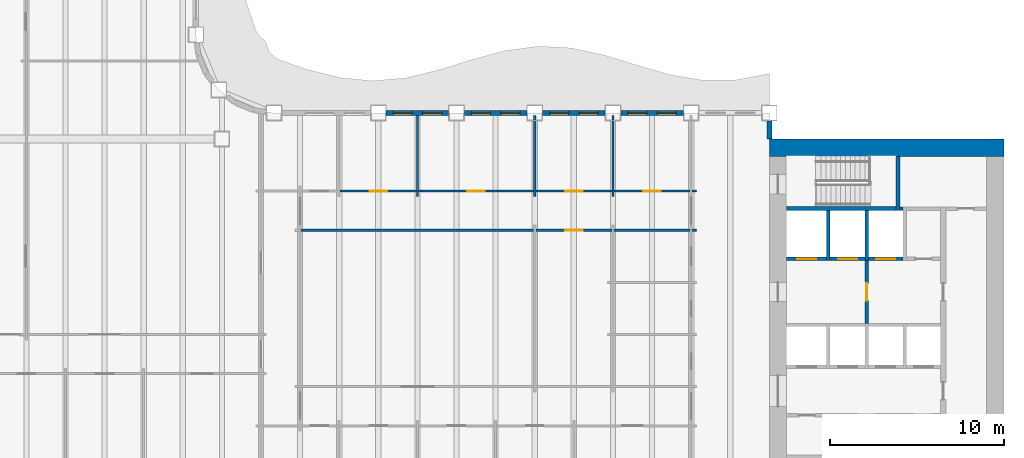
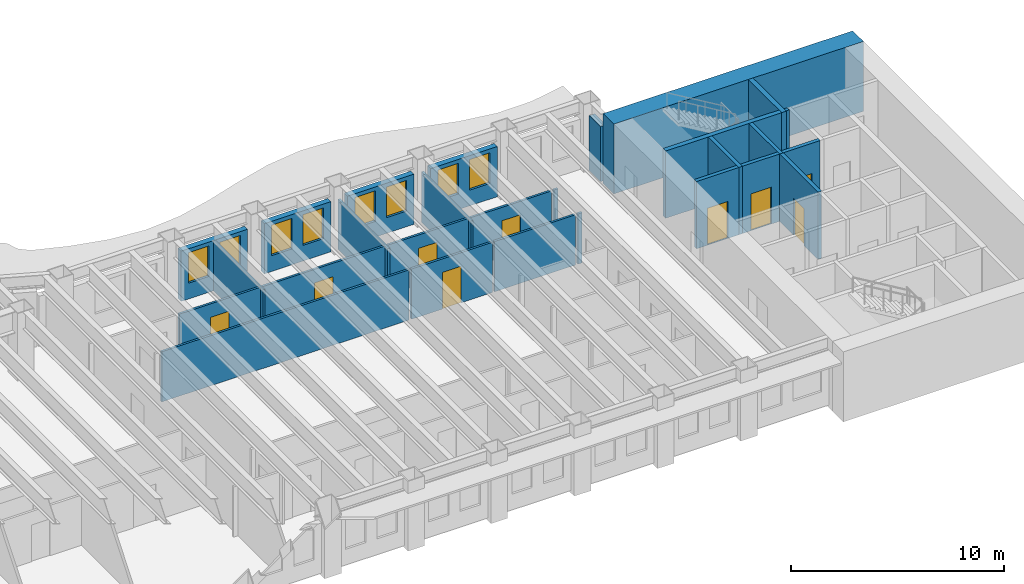
# One storey, part 7 of 16: 27 walls, 9 doors, 8 windows, 17 openings.
"""IFC4 building model written with IfcOpenShell, lengths in metres."""

from ifc_helpers import new_model, si_unit, direction, frame, frame_2d, origin, place, context, subcontext, project, spatial, rectangle, extrude, material, layer, layer_set, type_object, element, fill, save


model = new_model("IFC4")

# Units and contexts
model_context = context("Model", 3, precision=1e-05, world=origin(), true_north=direction((0.0, 1.0)))
body_context = subcontext(model_context, "Body", "Model", "MODEL_VIEW")
ifc_project = project(units=[si_unit("LENGTHUNIT", "METRE"), si_unit("AREAUNIT", "SQUARE_METRE"), si_unit("VOLUMEUNIT", "CUBIC_METRE"), si_unit("PLANEANGLEUNIT", "RADIAN"), si_unit("MASSUNIT", "GRAM", prefix="KILO")], contexts=[model_context])

# Site, building, storey
site_placement = place(None, origin())
site = spatial("IfcSite", under=ifc_project, at=site_placement, CompositionType="ELEMENT")
building_placement = place(site_placement, origin())
building = spatial("IfcBuilding", under=site, at=building_placement, Name="Sennacour Bend Tower", CompositionType="ELEMENT")
storey_placement = place(building_placement, frame((0.0, 0.0, 167.0)))
storey = spatial("IfcBuildingStorey", under=building, at=storey_placement, Name="L38", CompositionType="ELEMENT", Elevation=167.0)

# Walls
ifc_material_1 = material(Name="Concrete C60/75", Category="concrete")
ifc_layer_1 = layer(ifc_material_1, 1.0, Name="Concrete C60/75", Category="concrete")
ifc_layer_set_1 = layer_set([ifc_layer_1], Name="Concrete C60/75")
wall_type_1 = type_object("IfcWallType", Name="Core wall 1000 C60/75", PredefinedType="SHEAR", material=ifc_layer_set_1)
wall_1_placement = place(storey_placement, frame((54.0, 22.0, -0.14990234375), z_axis=(0.0, 0.0, 1.0), x_axis=(1.0, 0.0, 0.0)))
element("IfcWall", 1, at=wall_1_placement, inside=storey, type_object=wall_type_1, Name="Core A wall L38 N", PredefinedType="SHEAR", context=body_context, shape_type="SweptSolid", body=[
    extrude(rectangle(XDim=13.5, YDim=1.0, at=frame_2d((6.75, 0.0))), origin(), (0.0, 0.0, 1.0), 4.0),
])
ifc_material_2 = material(Name="Plasterboard partition on steel studs", Category="steel")
ifc_layer_2 = layer(ifc_material_2, 0.1201171875, Name="Plasterboard partition on steel studs", Category="steel")
ifc_layer_set_2 = layer_set([ifc_layer_2], Name="Plasterboard partition on steel studs")
wall_type_2 = type_object("IfcWallType", Name="Partition 120", PredefinedType="PARTITIONING", material=ifc_layer_set_2)
for number, where, z_axis, x_axis, name in (
    (2, (33.75, 19.199951171875, 0.0), (0.0, 0.0, 1.0), (0.0, 1.0, 0.0), "P-L38-W029a"),
    (3, (40.5, 19.199951171875, 0.0), (0.0, 0.0, 1.0), (0.0, 1.0, 0.0), "P-L38-W032a"),
    (4, (45.0, 19.199951171875, 0.0), (0.0, 0.0, 1.0), (0.0, 1.0, 0.0), "P-L38-W035a"),
):
    element("IfcWall", number, at=place(storey_placement, frame(where, z_axis=z_axis, x_axis=x_axis)), inside=storey, type_object=wall_type_2, Name=name, PredefinedType="PARTITIONING", context=body_context, shape_type="SweptSolid", body=[
        extrude(rectangle(XDim=4.650146484375, YDim=0.1201171875, at=frame_2d((2.3251953125, 0.0))), origin(), (0.0, 0.0, 1.0), 2.8701171875),
    ])
wall_2_placement = place(storey_placement, frame((27.06005859375, 17.25, 0.0), z_axis=(0.0, 0.0, 1.0), x_axis=(1.0, 0.0, 0.0)))
element("IfcWall", 5, at=wall_2_placement, inside=storey, type_object=wall_type_2, Name="P-L38-W070ab", PredefinedType="PARTITIONING", context=body_context, shape_type="SweptSolid", body=[
    extrude(rectangle(XDim=13.3798828125, YDim=0.1201171875, at=frame_2d((6.68994140625, 0.0))), origin(), (0.0, 0.0, 1.0), 2.8701171875),
])

# Wall, opening, door
wall_3_placement = place(storey_placement, frame((40.56005859375, 17.25, 0.0), z_axis=(0.0, 0.0, 1.0), x_axis=(1.0, 0.0, 0.0)))
wall_3 = element("IfcWall", 6, at=wall_3_placement, inside=storey, type_object=wall_type_2, Name="P-L38-W070ac", PredefinedType="PARTITIONING", context=body_context, shape_type="SweptSolid", body=[
    extrude(rectangle(XDim=4.3798828125, YDim=0.1201171875, at=frame_2d((2.18994140625, 0.0))), origin(), (0.0, 0.0, 1.0), 2.8701171875),
])
opening_1_placement = place(wall_3_placement, frame((1.68994140625, 0.0, 0.0)))
opening_1 = element("IfcOpeningElement", 7, at=opening_1_placement, cuts=wall_3, Name="Opening OD2", PredefinedType="OPENING", context=body_context, shape_type="SweptSolid", body=[
    extrude(rectangle(XDim=1.0, YDim=2.10009765625, at=frame_2d((0.5, 1.050048828125))), frame((0.0, 0.070068359375, 0.0), z_axis=(0.0, -1.0, 0.0), x_axis=(1.0, 0.0, 0.0)), (0.0, 0.0, 1.0), 0.14013671875),
])
ifc_material_3 = material(Name="Timber", Category="wood")
door_type_1 = type_object("IfcDoorType", Name="DR-OFFICE-1000", OperationType="NOTDEFINED", PredefinedType="DOOR", material=ifc_material_3)
door_1_placement = place(opening_1_placement, origin())
door_1 = element("IfcDoor", 8, at=door_1_placement, inside=storey, type_object=door_type_1, Name="Door", OperationType="SINGLE_SWING_LEFT", OverallHeight=2.10009765625, OverallWidth=1.0, PredefinedType="DOOR", context=body_context, shape_type="SweptSolid", body=[
    extrude(rectangle(XDim=1.0, YDim=2.10009765625, at=frame_2d((0.5, 1.050048828125))), frame((0.0, 0.02490234375, 0.0), z_axis=(0.0, -1.0, 0.0), x_axis=(1.0, 0.0, 0.0)), (0.0, 0.0, 1.0), 0.050048828125),
])
fill(opening_1, door_1)

# Walls
wall_4_placement = place(storey_placement, frame((45.06005859375, 17.25, 0.0), z_axis=(0.0, 0.0, 1.0), x_axis=(1.0, 0.0, 0.0)))
element("IfcWall", 9, at=wall_4_placement, inside=storey, type_object=wall_type_2, Name="P-L38-W070ad", PredefinedType="PARTITIONING", context=body_context, shape_type="SweptSolid", body=[
    extrude(rectangle(XDim=4.3798828125, YDim=0.1201171875, at=frame_2d((2.18994140625, 0.0))), origin(), (0.0, 0.0, 1.0), 2.8701171875),
])
wall_5_placement = place(storey_placement, frame((49.56005859375, 17.25, 0.0), z_axis=(0.0, 0.0, 1.0), x_axis=(1.0, 0.0, 0.0)))
element("IfcWall", 10, at=wall_5_placement, inside=storey, type_object=wall_type_2, Name="P-L38-W070ae", PredefinedType="PARTITIONING", context=body_context, shape_type="SweptSolid", body=[
    extrude(rectangle(XDim=0.239990234375, YDim=0.1201171875, at=frame_2d((0.1201171875, 0.0))), origin(), (0.0, 0.0, 1.0), 2.8701171875),
])

# Wall, opening, door
wall_6_placement = place(storey_placement, frame((29.31005859375, 19.5, 0.0), z_axis=(0.0, 0.0, 1.0), x_axis=(1.0, 0.0, 0.0)))
wall_6 = element("IfcWall", 11, at=wall_6_placement, inside=storey, type_object=wall_type_2, Name="P-L38-W074ad", PredefinedType="PARTITIONING", context=body_context, shape_type="SweptSolid", body=[
    extrude(rectangle(XDim=4.3798828125, YDim=0.1201171875, at=frame_2d((2.18994140625, 0.0))), origin(), (0.0, 0.0, 1.0), 2.8701171875),
])
opening_2_placement = place(wall_6_placement, frame((1.68994140625, 0.0, 0.0)))
opening_2 = element("IfcOpeningElement", 12, at=opening_2_placement, cuts=wall_6, Name="Opening OD2", PredefinedType="OPENING", context=body_context, shape_type="SweptSolid", body=[
    extrude(rectangle(XDim=1.0, YDim=2.10009765625, at=frame_2d((0.5, 1.050048828125))), frame((0.0, 0.070068359375, 0.0), z_axis=(0.0, -1.0, 0.0), x_axis=(1.0, 0.0, 0.0)), (0.0, 0.0, 1.0), 0.14013671875),
])
door_2_placement = place(opening_2_placement, origin())
door_2 = element("IfcDoor", 13, at=door_2_placement, inside=storey, type_object=door_type_1, Name="Door", OperationType="SINGLE_SWING_LEFT", OverallHeight=2.10009765625, OverallWidth=1.0, PredefinedType="DOOR", context=body_context, shape_type="SweptSolid", body=[
    extrude(rectangle(XDim=1.0, YDim=2.10009765625, at=frame_2d((0.5, 1.050048828125))), frame((0.0, 0.02490234375, 0.0), z_axis=(0.0, -1.0, 0.0), x_axis=(1.0, 0.0, 0.0)), (0.0, 0.0, 1.0), 0.050048828125),
])
fill(opening_2, door_2)

wall_7_placement = place(storey_placement, frame((33.81005859375, 19.5, 0.0), z_axis=(0.0, 0.0, 1.0), x_axis=(1.0, 0.0, 0.0)))
wall_7 = element("IfcWall", 14, at=wall_7_placement, inside=storey, type_object=wall_type_2, Name="P-L38-W074ae", PredefinedType="PARTITIONING", context=body_context, shape_type="SweptSolid", body=[
    extrude(rectangle(XDim=6.6298828125, YDim=0.1201171875, at=frame_2d((3.31494140625, 0.0))), origin(), (0.0, 0.0, 1.0), 2.8701171875),
])
opening_3_placement = place(wall_7_placement, frame((2.81494140625, 0.0, 0.0)))
opening_3 = element("IfcOpeningElement", 15, at=opening_3_placement, cuts=wall_7, Name="Opening OD2", PredefinedType="OPENING", context=body_context, shape_type="SweptSolid", body=[
    extrude(rectangle(XDim=1.0, YDim=2.10009765625, at=frame_2d((0.5, 1.050048828125))), frame((0.0, 0.070068359375, 0.0), z_axis=(0.0, -1.0, 0.0), x_axis=(1.0, 0.0, 0.0)), (0.0, 0.0, 1.0), 0.14013671875),
])
door_3_placement = place(opening_3_placement, origin())
door_3 = element("IfcDoor", 16, at=door_3_placement, inside=storey, type_object=door_type_1, Name="Door", OperationType="SINGLE_SWING_LEFT", OverallHeight=2.10009765625, OverallWidth=1.0, PredefinedType="DOOR", context=body_context, shape_type="SweptSolid", body=[
    extrude(rectangle(XDim=1.0, YDim=2.10009765625, at=frame_2d((0.5, 1.050048828125))), frame((0.0, 0.02490234375, 0.0), z_axis=(0.0, -1.0, 0.0), x_axis=(1.0, 0.0, 0.0)), (0.0, 0.0, 1.0), 0.050048828125),
])
fill(opening_3, door_3)

wall_8_placement = place(storey_placement, frame((40.56005859375, 19.5, 0.0), z_axis=(0.0, 0.0, 1.0), x_axis=(1.0, 0.0, 0.0)))
wall_8 = element("IfcWall", 17, at=wall_8_placement, inside=storey, type_object=wall_type_2, Name="P-L38-W074af", PredefinedType="PARTITIONING", context=body_context, shape_type="SweptSolid", body=[
    extrude(rectangle(XDim=4.3798828125, YDim=0.1201171875, at=frame_2d((2.18994140625, 0.0))), origin(), (0.0, 0.0, 1.0), 2.8701171875),
])
opening_4_placement = place(wall_8_placement, frame((1.68994140625, 0.0, 0.0)))
opening_4 = element("IfcOpeningElement", 18, at=opening_4_placement, cuts=wall_8, Name="Opening OD2", PredefinedType="OPENING", context=body_context, shape_type="SweptSolid", body=[
    extrude(rectangle(XDim=1.0, YDim=2.10009765625, at=frame_2d((0.5, 1.050048828125))), frame((0.0, 0.070068359375, 0.0), z_axis=(0.0, -1.0, 0.0), x_axis=(1.0, 0.0, 0.0)), (0.0, 0.0, 1.0), 0.14013671875),
])
door_4_placement = place(opening_4_placement, origin())
door_4 = element("IfcDoor", 19, at=door_4_placement, inside=storey, type_object=door_type_1, Name="Door", OperationType="SINGLE_SWING_LEFT", OverallHeight=2.10009765625, OverallWidth=1.0, PredefinedType="DOOR", context=body_context, shape_type="SweptSolid", body=[
    extrude(rectangle(XDim=1.0, YDim=2.10009765625, at=frame_2d((0.5, 1.050048828125))), frame((0.0, 0.02490234375, 0.0), z_axis=(0.0, -1.0, 0.0), x_axis=(1.0, 0.0, 0.0)), (0.0, 0.0, 1.0), 0.050048828125),
])
fill(opening_4, door_4)

wall_9_placement = place(storey_placement, frame((45.06005859375, 19.5, 0.0), z_axis=(0.0, 0.0, 1.0), x_axis=(1.0, 0.0, 0.0)))
wall_9 = element("IfcWall", 20, at=wall_9_placement, inside=storey, type_object=wall_type_2, Name="P-L38-W074ag", PredefinedType="PARTITIONING", context=body_context, shape_type="SweptSolid", body=[
    extrude(rectangle(XDim=4.3798828125, YDim=0.1201171875, at=frame_2d((2.18994140625, 0.0))), origin(), (0.0, 0.0, 1.0), 2.8701171875),
])
opening_5_placement = place(wall_9_placement, frame((1.68994140625, 0.0, 0.0)))
opening_5 = element("IfcOpeningElement", 21, at=opening_5_placement, cuts=wall_9, Name="Opening MD2", PredefinedType="OPENING", context=body_context, shape_type="SweptSolid", body=[
    extrude(rectangle(XDim=1.0, YDim=2.10009765625, at=frame_2d((0.5, 1.050048828125))), frame((0.0, 0.070068359375, 0.0), z_axis=(0.0, -1.0, 0.0), x_axis=(1.0, 0.0, 0.0)), (0.0, 0.0, 1.0), 0.14013671875),
])
door_type_2 = type_object("IfcDoorType", Name="DR-MEETING-1000", OperationType="NOTDEFINED", PredefinedType="DOOR", material=ifc_material_3)
door_5_placement = place(opening_5_placement, origin())
door_5 = element("IfcDoor", 22, at=door_5_placement, inside=storey, type_object=door_type_2, Name="Door", OperationType="SINGLE_SWING_LEFT", OverallHeight=2.10009765625, OverallWidth=1.0, PredefinedType="DOOR", context=body_context, shape_type="SweptSolid", body=[
    extrude(rectangle(XDim=1.0, YDim=2.10009765625, at=frame_2d((0.5, 1.050048828125))), frame((0.0, 0.02490234375, 0.0), z_axis=(0.0, -1.0, 0.0), x_axis=(1.0, 0.0, 0.0)), (0.0, 0.0, 1.0), 0.050048828125),
])
fill(opening_5, door_5)

# Wall
wall_10_placement = place(storey_placement, frame((49.56005859375, 19.5, 0.0), z_axis=(0.0, 0.0, 1.0), x_axis=(1.0, 0.0, 0.0)))
element("IfcWall", 23, at=wall_10_placement, inside=storey, type_object=wall_type_2, Name="P-L38-W074ah", PredefinedType="PARTITIONING", context=body_context, shape_type="SweptSolid", body=[
    extrude(rectangle(XDim=0.239990234375, YDim=0.1201171875, at=frame_2d((0.1201171875, 0.0))), origin(), (0.0, 0.0, 1.0), 2.8701171875),
])

# Wall, opening, door
ifc_material_4 = material(Name="Fire-rated plasterboard partition on steel studs", Category="steel")
ifc_layer_3 = layer(ifc_material_4, 0.199951171875, Name="Fire-rated plasterboard partition on steel studs", Category="steel")
ifc_layer_set_3 = layer_set([ifc_layer_3], Name="Fire-rated plasterboard partition on steel studs")
wall_type_3 = type_object("IfcWallType", Name="Rated partition 200 EI 90", PredefinedType="PARTITIONING", material=ifc_layer_set_3)
wall_11_placement = place(storey_placement, frame((59.60009765625, 11.89990234375, 0.0), z_axis=(0.0, 0.0, 1.0), x_axis=(0.0, 1.0, 0.0)))
wall_11 = element("IfcWall", 24, at=wall_11_placement, inside=storey, type_object=wall_type_3, Name="P-L38-W042", PredefinedType="PARTITIONING", context=body_context, shape_type="SweptSolid", body=[
    extrude(rectangle(XDim=3.60009765625, YDim=0.199951171875, at=frame_2d((1.800048828125, 0.0))), origin(), (0.0, 0.0, 1.0), 3.85009765625),
])
opening_6_placement = place(wall_11_placement, frame((1.300048828125, 0.0, 0.0)))
opening_6 = element("IfcOpeningElement", 25, at=opening_6_placement, cuts=wall_11, Name="Opening FD2", PredefinedType="OPENING", context=body_context, shape_type="SweptSolid", body=[
    extrude(rectangle(XDim=1.0, YDim=2.10009765625, at=frame_2d((0.5, 1.050048828125))), frame((0.0, 0.10986328125, 0.0), z_axis=(0.0, -1.0, 0.0), x_axis=(1.0, 0.0, 0.0)), (0.0, 0.0, 1.0), 0.219970703125),
])
ifc_material_5 = material(Name="Painted steel", Category="steel")
door_type_3 = type_object("IfcDoorType", Name="DR-FFL-1000", OperationType="NOTDEFINED", PredefinedType="DOOR", material=ifc_material_5)
door_6_placement = place(opening_6_placement, origin())
door_6 = element("IfcDoor", 26, at=door_6_placement, inside=storey, type_object=door_type_3, Name="Door", OperationType="SINGLE_SWING_LEFT", OverallHeight=2.10009765625, OverallWidth=1.0, PredefinedType="DOOR", context=body_context, shape_type="SweptSolid", body=[
    extrude(rectangle(XDim=1.0, YDim=2.10009765625, at=frame_2d((0.5, 1.050048828125))), frame((0.0, 0.02490234375, 0.0), z_axis=(0.0, -1.0, 0.0), x_axis=(1.0, 0.0, 0.0)), (0.0, 0.0, 1.0), 0.050048828125),
])
fill(opening_6, door_6)

# Wall
ifc_material_6 = material(Name="Warm limestone cladding", Category="masonry")
ifc_layer_4 = layer(ifc_material_6, 0.050048828125, Name="Warm limestone cladding", Category="masonry")
ifc_material_7 = material(Name="Precast concrete C40/50", Category="concrete")
ifc_layer_5 = layer(ifc_material_7, 0.25, Name="Precast concrete C40/50", Category="concrete")
ifc_layer_set_4 = layer_set([ifc_layer_4, ifc_layer_5], Name="Precast concrete C40/50 with limestone cladding")
wall_type_4 = type_object("IfcWallType", Name="STONE-CLAD PRECAST SPANDREL 300", PredefinedType="STANDARD", material=ifc_layer_set_4)
wall_12_placement = place(storey_placement, frame((54.0, 22.5, 0.0), z_axis=(0.0, 0.0, 1.0), x_axis=(0.0, 1.0, 0.0)))
element("IfcWall", 27, at=wall_12_placement, inside=storey, type_object=wall_type_4, Name="Stone spandrel and pier wall L38 07.00", PredefinedType="STANDARD", context=body_context, shape_type="SweptSolid", body=[
    extrude(rectangle(XDim=1.050048828125, YDim=0.300048828125, at=frame_2d((0.52490234375, 0.0))), origin(), (0.0, 0.0, 1.0), 3.14892578125),
])

# Wall, openings, windows
wall_13_placement = place(storey_placement, frame((49.050048828125, 24.0, 0.0), z_axis=(0.0, 0.0, 1.0), x_axis=(-1.0, 0.0, 0.0)))
wall_13 = element("IfcWall", 28, at=wall_13_placement, inside=storey, type_object=wall_type_4, Name="Stone spandrel and pier wall L38 08.01", PredefinedType="STANDARD", context=body_context, shape_type="SweptSolid", body=[
    extrude(rectangle(XDim=3.60009765625, YDim=0.300048828125, at=frame_2d((1.800048828125, 0.0))), origin(), (0.0, 0.0, 1.0), 2.8701171875),
])
opening_7_placement = place(wall_13_placement, frame((0.39990234375, 0.0, 0.89990234375)))
opening_7 = element("IfcOpeningElement", 29, at=opening_7_placement, cuts=wall_13, Name="Opening W17", PredefinedType="OPENING", context=body_context, shape_type="SweptSolid", body=[
    extrude(rectangle(XDim=1.10009765625, YDim=1.75, at=frame_2d((0.550048828125, 0.875))), frame((0.0, 0.16015625, 0.0), z_axis=(0.0, -1.0, 0.0), x_axis=(1.0, 0.0, 0.0)), (0.0, 0.0, 1.0), 0.320068359375),
])
opening_8_placement = place(wall_13_placement, frame((2.10009765625, 0.0, 0.89990234375)))
opening_8 = element("IfcOpeningElement", 30, at=opening_8_placement, cuts=wall_13, Name="Opening W17", PredefinedType="OPENING", context=body_context, shape_type="SweptSolid", body=[
    extrude(rectangle(XDim=1.10009765625, YDim=1.75, at=frame_2d((0.550048828125, 0.875))), frame((0.0, 0.16015625, 0.0), z_axis=(0.0, -1.0, 0.0), x_axis=(1.0, 0.0, 0.0)), (0.0, 0.0, 1.0), 0.320068359375),
])
ifc_material_8 = material(Name="Clear low-emissivity glass", Category="glass")
window_type = type_object("IfcWindowType", Name="WIN-RIBBON-1100x1750", PartitioningType="SINGLE_PANEL", PredefinedType="WINDOW", material=ifc_material_8)
window_1_placement = place(opening_7_placement, origin())
window_1 = element("IfcWindow", 31, at=window_1_placement, inside=storey, type_object=window_type, Name="Ribbon window L38 08.01.0", OverallHeight=1.75, OverallWidth=1.10009765625, PartitioningType="SINGLE_PANEL", PredefinedType="WINDOW", context=body_context, shape_type="SweptSolid", body=[
    extrude(rectangle(XDim=1.10009765625, YDim=1.75, at=frame_2d((0.550048828125, 0.875))), frame((0.0, 0.030029296875, 0.0), z_axis=(0.0, -1.0, 0.0), x_axis=(1.0, 0.0, 0.0)), (0.0, 0.0, 1.0), 0.06005859375),
])
fill(opening_7, window_1)
window_2_placement = place(opening_8_placement, origin())
window_2 = element("IfcWindow", 32, at=window_2_placement, inside=storey, type_object=window_type, Name="Ribbon window L38 08.01.1", OverallHeight=1.75, OverallWidth=1.10009765625, PartitioningType="SINGLE_PANEL", PredefinedType="WINDOW", context=body_context, shape_type="SweptSolid", body=[
    extrude(rectangle(XDim=1.10009765625, YDim=1.75, at=frame_2d((0.550048828125, 0.875))), frame((0.0, 0.030029296875, 0.0), z_axis=(0.0, -1.0, 0.0), x_axis=(1.0, 0.0, 0.0)), (0.0, 0.0, 1.0), 0.06005859375),
])
fill(opening_8, window_2)

wall_14_placement = place(storey_placement, frame((44.550048828125, 24.0, 0.0), z_axis=(0.0, 0.0, 1.0), x_axis=(-1.0, 0.0, 0.0)))
wall_14 = element("IfcWall", 33, at=wall_14_placement, inside=storey, type_object=wall_type_4, Name="Stone spandrel and pier wall L38 08.02", PredefinedType="STANDARD", context=body_context, shape_type="SweptSolid", body=[
    extrude(rectangle(XDim=3.60009765625, YDim=0.300048828125, at=frame_2d((1.800048828125, 0.0))), origin(), (0.0, 0.0, 1.0), 2.8701171875),
])
opening_9_placement = place(wall_14_placement, frame((0.39990234375, 0.0, 0.89990234375)))
opening_9 = element("IfcOpeningElement", 34, at=opening_9_placement, cuts=wall_14, Name="Opening W17", PredefinedType="OPENING", context=body_context, shape_type="SweptSolid", body=[
    extrude(rectangle(XDim=1.10009765625, YDim=1.75, at=frame_2d((0.550048828125, 0.875))), frame((0.0, 0.16015625, 0.0), z_axis=(0.0, -1.0, 0.0), x_axis=(1.0, 0.0, 0.0)), (0.0, 0.0, 1.0), 0.320068359375),
])
opening_10_placement = place(wall_14_placement, frame((2.10009765625, 0.0, 0.89990234375)))
opening_10 = element("IfcOpeningElement", 35, at=opening_10_placement, cuts=wall_14, Name="Opening W17", PredefinedType="OPENING", context=body_context, shape_type="SweptSolid", body=[
    extrude(rectangle(XDim=1.10009765625, YDim=1.75, at=frame_2d((0.550048828125, 0.875))), frame((0.0, 0.16015625, 0.0), z_axis=(0.0, -1.0, 0.0), x_axis=(1.0, 0.0, 0.0)), (0.0, 0.0, 1.0), 0.320068359375),
])
window_3_placement = place(opening_9_placement, origin())
window_3 = element("IfcWindow", 36, at=window_3_placement, inside=storey, type_object=window_type, Name="Ribbon window L38 08.02.0", OverallHeight=1.75, OverallWidth=1.10009765625, PartitioningType="SINGLE_PANEL", PredefinedType="WINDOW", context=body_context, shape_type="SweptSolid", body=[
    extrude(rectangle(XDim=1.10009765625, YDim=1.75, at=frame_2d((0.550048828125, 0.875))), frame((0.0, 0.030029296875, 0.0), z_axis=(0.0, -1.0, 0.0), x_axis=(1.0, 0.0, 0.0)), (0.0, 0.0, 1.0), 0.06005859375),
])
fill(opening_9, window_3)
window_4_placement = place(opening_10_placement, origin())
window_4 = element("IfcWindow", 37, at=window_4_placement, inside=storey, type_object=window_type, Name="Ribbon window L38 08.02.1", OverallHeight=1.75, OverallWidth=1.10009765625, PartitioningType="SINGLE_PANEL", PredefinedType="WINDOW", context=body_context, shape_type="SweptSolid", body=[
    extrude(rectangle(XDim=1.10009765625, YDim=1.75, at=frame_2d((0.550048828125, 0.875))), frame((0.0, 0.030029296875, 0.0), z_axis=(0.0, -1.0, 0.0), x_axis=(1.0, 0.0, 0.0)), (0.0, 0.0, 1.0), 0.06005859375),
])
fill(opening_10, window_4)

wall_15_placement = place(storey_placement, frame((40.050048828125, 24.0, 0.0), z_axis=(0.0, 0.0, 1.0), x_axis=(-1.0, 0.0, 0.0)))
wall_15 = element("IfcWall", 38, at=wall_15_placement, inside=storey, type_object=wall_type_4, Name="Stone spandrel and pier wall L38 08.03", PredefinedType="STANDARD", context=body_context, shape_type="SweptSolid", body=[
    extrude(rectangle(XDim=3.60009765625, YDim=0.300048828125, at=frame_2d((1.800048828125, 0.0))), origin(), (0.0, 0.0, 1.0), 2.8701171875),
])
opening_11_placement = place(wall_15_placement, frame((0.39990234375, 0.0, 0.89990234375)))
opening_11 = element("IfcOpeningElement", 39, at=opening_11_placement, cuts=wall_15, Name="Opening W17", PredefinedType="OPENING", context=body_context, shape_type="SweptSolid", body=[
    extrude(rectangle(XDim=1.10009765625, YDim=1.75, at=frame_2d((0.550048828125, 0.875))), frame((0.0, 0.16015625, 0.0), z_axis=(0.0, -1.0, 0.0), x_axis=(1.0, 0.0, 0.0)), (0.0, 0.0, 1.0), 0.320068359375),
])
opening_12_placement = place(wall_15_placement, frame((2.10009765625, 0.0, 0.89990234375)))
opening_12 = element("IfcOpeningElement", 40, at=opening_12_placement, cuts=wall_15, Name="Opening W17", PredefinedType="OPENING", context=body_context, shape_type="SweptSolid", body=[
    extrude(rectangle(XDim=1.10009765625, YDim=1.75, at=frame_2d((0.550048828125, 0.875))), frame((0.0, 0.16015625, 0.0), z_axis=(0.0, -1.0, 0.0), x_axis=(1.0, 0.0, 0.0)), (0.0, 0.0, 1.0), 0.320068359375),
])
window_5_placement = place(opening_11_placement, origin())
window_5 = element("IfcWindow", 41, at=window_5_placement, inside=storey, type_object=window_type, Name="Ribbon window L38 08.03.0", OverallHeight=1.75, OverallWidth=1.10009765625, PartitioningType="SINGLE_PANEL", PredefinedType="WINDOW", context=body_context, shape_type="SweptSolid", body=[
    extrude(rectangle(XDim=1.10009765625, YDim=1.75, at=frame_2d((0.550048828125, 0.875))), frame((0.0, 0.030029296875, 0.0), z_axis=(0.0, -1.0, 0.0), x_axis=(1.0, 0.0, 0.0)), (0.0, 0.0, 1.0), 0.06005859375),
])
fill(opening_11, window_5)
window_6_placement = place(opening_12_placement, origin())
window_6 = element("IfcWindow", 42, at=window_6_placement, inside=storey, type_object=window_type, Name="Ribbon window L38 08.03.1", OverallHeight=1.75, OverallWidth=1.10009765625, PartitioningType="SINGLE_PANEL", PredefinedType="WINDOW", context=body_context, shape_type="SweptSolid", body=[
    extrude(rectangle(XDim=1.10009765625, YDim=1.75, at=frame_2d((0.550048828125, 0.875))), frame((0.0, 0.030029296875, 0.0), z_axis=(0.0, -1.0, 0.0), x_axis=(1.0, 0.0, 0.0)), (0.0, 0.0, 1.0), 0.06005859375),
])
fill(opening_12, window_6)

wall_16_placement = place(storey_placement, frame((35.550048828125, 24.0, 0.0), z_axis=(0.0, 0.0, 1.0), x_axis=(-1.0, 0.0, 0.0)))
wall_16 = element("IfcWall", 43, at=wall_16_placement, inside=storey, type_object=wall_type_4, Name="Stone spandrel and pier wall L38 08.04", PredefinedType="STANDARD", context=body_context, shape_type="SweptSolid", body=[
    extrude(rectangle(XDim=3.60009765625, YDim=0.300048828125, at=frame_2d((1.800048828125, 0.0))), origin(), (0.0, 0.0, 1.0), 2.8701171875),
])
opening_13_placement = place(wall_16_placement, frame((0.39990234375, 0.0, 0.89990234375)))
opening_13 = element("IfcOpeningElement", 44, at=opening_13_placement, cuts=wall_16, Name="Opening W17", PredefinedType="OPENING", context=body_context, shape_type="SweptSolid", body=[
    extrude(rectangle(XDim=1.10009765625, YDim=1.75, at=frame_2d((0.550048828125, 0.875))), frame((0.0, 0.16015625, 0.0), z_axis=(0.0, -1.0, 0.0), x_axis=(1.0, 0.0, 0.0)), (0.0, 0.0, 1.0), 0.320068359375),
])
opening_14_placement = place(wall_16_placement, frame((2.10009765625, 0.0, 0.89990234375)))
opening_14 = element("IfcOpeningElement", 45, at=opening_14_placement, cuts=wall_16, Name="Opening W17", PredefinedType="OPENING", context=body_context, shape_type="SweptSolid", body=[
    extrude(rectangle(XDim=1.10009765625, YDim=1.75, at=frame_2d((0.550048828125, 0.875))), frame((0.0, 0.16015625, 0.0), z_axis=(0.0, -1.0, 0.0), x_axis=(1.0, 0.0, 0.0)), (0.0, 0.0, 1.0), 0.320068359375),
])
window_7_placement = place(opening_13_placement, origin())
window_7 = element("IfcWindow", 46, at=window_7_placement, inside=storey, type_object=window_type, Name="Ribbon window L38 08.04.0", OverallHeight=1.75, OverallWidth=1.10009765625, PartitioningType="SINGLE_PANEL", PredefinedType="WINDOW", context=body_context, shape_type="SweptSolid", body=[
    extrude(rectangle(XDim=1.10009765625, YDim=1.75, at=frame_2d((0.550048828125, 0.875))), frame((0.0, 0.030029296875, 0.0), z_axis=(0.0, -1.0, 0.0), x_axis=(1.0, 0.0, 0.0)), (0.0, 0.0, 1.0), 0.06005859375),
])
fill(opening_13, window_7)
window_8_placement = place(opening_14_placement, origin())
window_8 = element("IfcWindow", 47, at=window_8_placement, inside=storey, type_object=window_type, Name="Ribbon window L38 08.04.1", OverallHeight=1.75, OverallWidth=1.10009765625, PartitioningType="SINGLE_PANEL", PredefinedType="WINDOW", context=body_context, shape_type="SweptSolid", body=[
    extrude(rectangle(XDim=1.10009765625, YDim=1.75, at=frame_2d((0.550048828125, 0.875))), frame((0.0, 0.030029296875, 0.0), z_axis=(0.0, -1.0, 0.0), x_axis=(1.0, 0.0, 0.0)), (0.0, 0.0, 1.0), 0.06005859375),
])
fill(opening_14, window_8)

# Walls
ifc_material_9 = material(Name="Concrete C50/60", Category="concrete")
ifc_layer_6 = layer(ifc_material_9, 0.199951171875, Name="Concrete C50/60", Category="concrete")
ifc_layer_set_5 = layer_set([ifc_layer_6], Name="Concrete C50/60")
wall_type_5 = type_object("IfcWallType", Name="Shaft wall 200", PredefinedType="SOLIDWALL", material=ifc_layer_set_5)
for number, where, z_axis, x_axis, name in (
    (48, (57.39990234375, 15.5, 0.0), (0.0, 0.0, 1.0), (0.0, 1.0, 0.0), "P-L38-W040"),
    (49, (59.60009765625, 15.5, 0.0), (0.0, 0.0, 1.0), (0.0, 1.0, 0.0), "P-L38-W043"),
):
    element("IfcWall", number, at=place(storey_placement, frame(where, z_axis=z_axis, x_axis=x_axis)), inside=storey, type_object=wall_type_5, Name=name, PredefinedType="SOLIDWALL", context=body_context, shape_type="SweptSolid", body=[
        extrude(rectangle(XDim=2.875, YDim=0.199951171875, at=frame_2d((1.4375, 0.0))), origin(), (0.0, 0.0, 1.0), 3.85009765625),
    ])

# Wall, opening, door
wall_17_placement = place(storey_placement, frame((55.0, 15.60009765625, 0.0), z_axis=(0.0, 0.0, 1.0), x_axis=(1.0, 0.0, 0.0)))
wall_17 = element("IfcWall", 50, at=wall_17_placement, inside=storey, type_object=wall_type_5, Name="P-L38-W067a", PredefinedType="SOLIDWALL", context=body_context, shape_type="SweptSolid", body=[
    extrude(rectangle(XDim=2.300048828125, YDim=0.199951171875, at=frame_2d((1.14990234375, 0.0))), origin(), (0.0, 0.0, 1.0), 3.85009765625),
])
opening_15_placement = place(wall_17_placement, frame((0.60009765625, 0.0, 0.011962890625)))
opening_15 = element("IfcOpeningElement", 51, at=opening_15_placement, cuts=wall_17, Name="Opening FLD", PredefinedType="OPENING", context=body_context, shape_type="SweptSolid", body=[
    extrude(rectangle(XDim=1.10009765625, YDim=2.10009765625, at=frame_2d((0.550048828125, 1.050048828125))), frame((0.0, 0.10986328125, 0.0), z_axis=(0.0, -1.0, 0.0), x_axis=(1.0, 0.0, 0.0)), (0.0, 0.0, 1.0), 0.219970703125),
])
ifc_material_10 = material(Name="Stainless steel", Category="steel")
door_type_4 = type_object("IfcDoorType", Name="DR-FF-LANDING-1100", OperationType="NOTDEFINED", PredefinedType="DOOR", material=ifc_material_10)
door_7_placement = place(opening_15_placement, origin())
door_7 = element("IfcDoor", 52, at=door_7_placement, inside=storey, type_object=door_type_4, Name="Fire service lift landing door FA1", OperationType="SLIDING_TO_LEFT", OverallHeight=2.10009765625, OverallWidth=1.10009765625, PredefinedType="DOOR", context=body_context, shape_type="SweptSolid", body=[
    extrude(rectangle(XDim=1.10009765625, YDim=2.10009765625, at=frame_2d((0.550048828125, 1.050048828125))), frame((0.0, 0.02490234375, 0.0), z_axis=(0.0, -1.0, 0.0), x_axis=(1.0, 0.0, 0.0)), (0.0, 0.0, 1.0), 0.050048828125),
])
fill(opening_15, door_7)

wall_18_placement = place(storey_placement, frame((57.5, 15.60009765625, 0.0), z_axis=(0.0, 0.0, 1.0), x_axis=(1.0, 0.0, 0.0)))
wall_18 = element("IfcWall", 53, at=wall_18_placement, inside=storey, type_object=wall_type_5, Name="P-L38-W067b", PredefinedType="SOLIDWALL", context=body_context, shape_type="SweptSolid", body=[
    extrude(rectangle(XDim=2.0, YDim=0.199951171875, at=frame_2d((1.0, 0.0))), origin(), (0.0, 0.0, 1.0), 3.85009765625),
])
opening_16_placement = place(wall_18_placement, frame((0.449951171875, 0.0, 0.011962890625)))
opening_16 = element("IfcOpeningElement", 54, at=opening_16_placement, cuts=wall_18, Name="Opening FLD", PredefinedType="OPENING", context=body_context, shape_type="SweptSolid", body=[
    extrude(rectangle(XDim=1.10009765625, YDim=2.10009765625, at=frame_2d((0.550048828125, 1.050048828125))), frame((0.0, 0.10986328125, 0.0), z_axis=(0.0, -1.0, 0.0), x_axis=(1.0, 0.0, 0.0)), (0.0, 0.0, 1.0), 0.219970703125),
])
door_8_placement = place(opening_16_placement, origin())
door_8 = element("IfcDoor", 55, at=door_8_placement, inside=storey, type_object=door_type_4, Name="Fire service lift landing door FA2", OperationType="SLIDING_TO_RIGHT", OverallHeight=2.10009765625, OverallWidth=1.10009765625, PredefinedType="DOOR", context=body_context, shape_type="SweptSolid", body=[
    extrude(rectangle(XDim=1.10009765625, YDim=2.10009765625, at=frame_2d((0.550048828125, 1.050048828125))), frame((0.0, 0.02490234375, 0.0), z_axis=(0.0, -1.0, 0.0), x_axis=(1.0, 0.0, 0.0)), (0.0, 0.0, 1.0), 0.050048828125),
])
fill(opening_16, door_8)

wall_19_placement = place(storey_placement, frame((59.699951171875, 15.60009765625, 0.0), z_axis=(0.0, 0.0, 1.0), x_axis=(1.0, 0.0, 0.0)))
wall_19 = element("IfcWall", 56, at=wall_19_placement, inside=storey, type_object=wall_type_5, Name="P-L38-W067c", PredefinedType="SOLIDWALL", context=body_context, shape_type="SweptSolid", body=[
    extrude(rectangle(XDim=2.0, YDim=0.199951171875, at=frame_2d((1.0, 0.0))), origin(), (0.0, 0.0, 1.0), 3.85009765625),
])
opening_17_placement = place(wall_19_placement, frame((0.449951171875, 0.0, 0.011962890625)))
opening_17 = element("IfcOpeningElement", 57, at=opening_17_placement, cuts=wall_19, Name="Opening LD", PredefinedType="OPENING", context=body_context, shape_type="SweptSolid", body=[
    extrude(rectangle(XDim=1.10009765625, YDim=2.10009765625, at=frame_2d((0.550048828125, 1.050048828125))), frame((0.0, 0.10986328125, 0.0), z_axis=(0.0, -1.0, 0.0), x_axis=(1.0, 0.0, 0.0)), (0.0, 0.0, 1.0), 0.219970703125),
])
door_type_5 = type_object("IfcDoorType", Name="DR-LANDING-1100", OperationType="NOTDEFINED", PredefinedType="DOOR", material=ifc_material_10)
door_9_placement = place(opening_17_placement, origin())
door_9 = element("IfcDoor", 58, at=door_9_placement, inside=storey, type_object=door_type_5, Name="Lift landing door HA5", OperationType="SLIDING_TO_LEFT", OverallHeight=2.10009765625, OverallWidth=1.10009765625, PredefinedType="DOOR", context=body_context, shape_type="SweptSolid", body=[
    extrude(rectangle(XDim=1.10009765625, YDim=2.10009765625, at=frame_2d((0.550048828125, 1.050048828125))), frame((0.0, 0.02490234375, 0.0), z_axis=(0.0, -1.0, 0.0), x_axis=(1.0, 0.0, 0.0)), (0.0, 0.0, 1.0), 0.050048828125),
])
fill(opening_17, door_9)

# Walls
wall_20_placement = place(storey_placement, frame((61.52490234375, 18.5, 0.0), z_axis=(0.0, 0.0, 1.0), x_axis=(1.0, 0.0, 0.0)))
element("IfcWall", 59, at=wall_20_placement, inside=storey, type_object=wall_type_5, Name="P-L38-W072", PredefinedType="SOLIDWALL", context=body_context, shape_type="SweptSolid", body=[
    extrude(rectangle(XDim=0.175048828125, YDim=0.199951171875, at=frame_2d((0.08740234375, 0.0))), origin(), (0.0, 0.0, 1.0), 3.85009765625),
])
ifc_layer_7 = layer(ifc_material_1, 0.25, Name="Concrete C60/75", Category="concrete")
ifc_layer_set_6 = layer_set([ifc_layer_7], Name="Concrete C60/75")
wall_type_6 = type_object("IfcWallType", Name="Stair wall 250", PredefinedType="SHEAR", material=ifc_layer_set_6)
wall_21_placement = place(storey_placement, frame((61.39990234375, 18.375, 0.0), z_axis=(0.0, 0.0, 1.0), x_axis=(0.0, 1.0, 0.0)))
element("IfcWall", 60, at=wall_21_placement, inside=storey, type_object=wall_type_6, Name="P-L38-W045", PredefinedType="SHEAR", context=body_context, shape_type="SweptSolid", body=[
    extrude(rectangle(XDim=3.125, YDim=0.25, at=frame_2d((1.5625, 0.0))), origin(), (0.0, 0.0, 1.0), 3.85009765625),
])
wall_22_placement = place(storey_placement, frame((55.0, 18.5, 0.0), z_axis=(0.0, 0.0, 1.0), x_axis=(1.0, 0.0, 0.0)))
element("IfcWall", 61, at=wall_22_placement, inside=storey, type_object=wall_type_6, Name="P-L38-W071", PredefinedType="SHEAR", context=body_context, shape_type="SweptSolid", body=[
    extrude(rectangle(XDim=6.27490234375, YDim=0.25, at=frame_2d((3.137451171875, 0.0))), origin(), (0.0, 0.0, 1.0), 3.85009765625),
])

save(model, "model.ifc")
